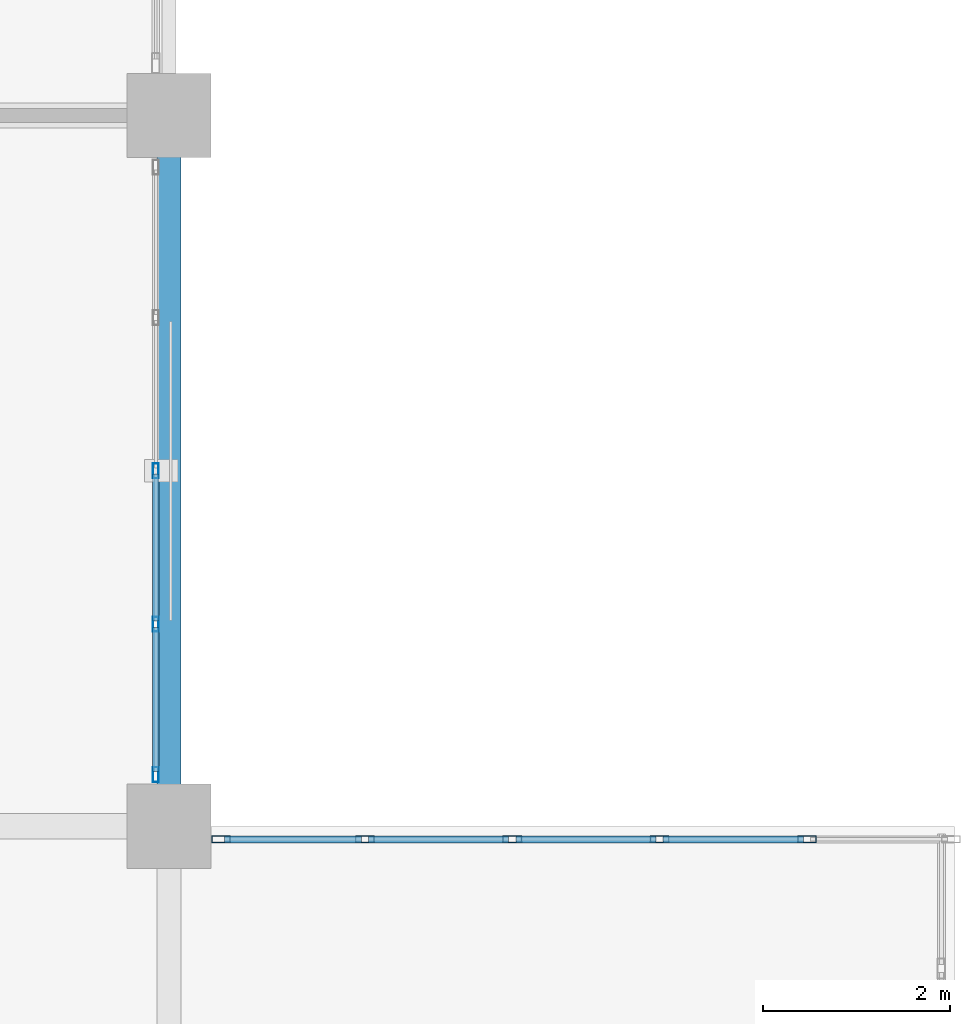
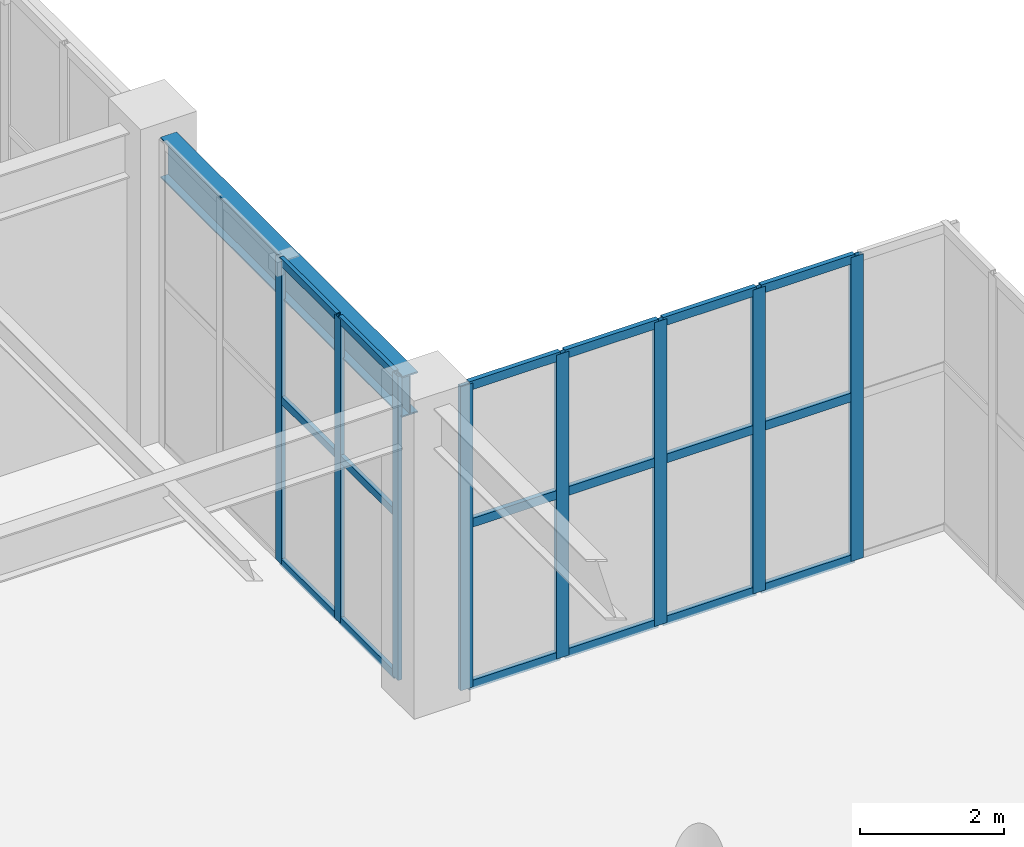
# One storey, part 45 of 139: 26 members, 1 beam, 2 elements without a shape of their own.
"""IFC4 building model written with IfcOpenShell, lengths in metres."""

from ifc_helpers import new_model, si_unit, direction, frame, origin, origin_2d, place, context, subcontext, project, spatial, hollow_rectangle, i_section, extrude, material, layer, layer_set, material_profile, profile_set, type_object, element, aggregate, save


model = new_model("IFC4")

# Units and contexts
model_context = context("Model", 3, precision=1e-05, world=origin(), true_north=direction((0.0, 1.0)))
body_context = subcontext(model_context, "Body", "Model", "MODEL_VIEW")
ifc_project = project(units=[si_unit("LENGTHUNIT", "METRE"), si_unit("AREAUNIT", "SQUARE_METRE"), si_unit("VOLUMEUNIT", "CUBIC_METRE"), si_unit("PLANEANGLEUNIT", "RADIAN"), si_unit("MASSUNIT", "GRAM", prefix="KILO")], contexts=[model_context])

# Site, building, storey
site_placement = place(None, origin())
site = spatial("IfcSite", under=ifc_project, at=site_placement, CompositionType="ELEMENT")
building_placement = place(site_placement, origin())
building = spatial("IfcBuilding", under=site, at=building_placement, Name="Xicomal Pleat Aquarium", CompositionType="ELEMENT")
storey_placement = place(building_placement, origin())
storey = spatial("IfcBuildingStorey", under=building, at=storey_placement, Name="L01", CompositionType="ELEMENT", Elevation=0.0)

# Beam
ifc_material_1 = material(Name="Structural steel A992 Gr 50", Category="steel")
ifc_material_profile_1 = material_profile(ifc_material_1, i_section(OverallWidth=0.256103515625, OverallDepth=0.693115234375, WebThickness=0.014404296875, FlangeThickness=0.023681640625, at=origin_2d()), Name="IR 690x170")
ifc_profile_set_1 = profile_set([ifc_material_profile_1], Name="Structural steel A992 Gr 50")
beam_type = type_object("IfcBeamType", Name="BM-STL-IR690", PredefinedType="BEAM", material=ifc_profile_set_1)
beam_placement = place(storey_placement, frame((27.0, 76.445068359375, 4.8134765625), z_axis=(0.0, 1.0, 0.0), x_axis=(-1.0, 0.0, 0.0)))
element("IfcBeam", 1, at=beam_placement, inside=storey, type_object=beam_type, Name="L01 framing beam FGY-L01-04-L-M", PredefinedType="BEAM", context=body_context, shape_type="SweptSolid", body=[
    extrude(i_section(OverallWidth=0.256103515625, OverallDepth=0.693115234375, WebThickness=0.014404296875, FlangeThickness=0.023681640625, at=origin_2d()), origin(), (0.0, 0.0, 1.0), 6.7099609375),
])

# Curtain wall, members
ifc_material_2 = material(Name="Bronze anodized aluminium 6063-T6", Category="aluminium")
ifc_layer_1 = layer(ifc_material_2, 0.159912109375)
ifc_layer_set_1 = layer_set([ifc_layer_1], Name="Bronze anodized aluminium 6063-T6")
curtain_wall_type_1 = type_object("IfcCurtainWallType", Name="CW-SYS-01", PredefinedType="NOTDEFINED", material=ifc_layer_set_1)
curtain_wall_1_placement = place(storey_placement, origin())
curtain_wall_1 = element("IfcCurtainWall", 2, at=curtain_wall_1_placement, inside=storey, type_object=curtain_wall_type_1, Name="L01 unitised curtain wall CW-L01-021", PredefinedType="NOTDEFINED")
ifc_material_3 = material(Name="Bronze anodized aluminium 6063-T6", Category="aluminium")
ifc_material_profile_2 = material_profile(ifc_material_3, hollow_rectangle(XDim=0.06494140625, YDim=0.159912109375, WallThickness=0.00390625, at=origin_2d()), Name="ALU MULL 65x160")
ifc_profile_set_2 = profile_set([ifc_material_profile_2], Name="Bronze anodized aluminium 6063-T6")
member_type_1 = type_object("IfcMemberType", Name="CWM-65x160", PredefinedType="MULLION", material=ifc_profile_set_2)
member_1_placement = place(storey_placement, frame((26.860107421875, 79.800048828125, 0.0), z_axis=(0.0, 0.0, 1.0), x_axis=(1.0, 0.0, 0.0)))
member_1 = element("IfcMember", 3, at=member_1_placement, type_object=member_type_1, Name="CW-01 mullion 3", PredefinedType="MULLION", context=body_context, shape_type="SweptSolid", body=[
    extrude(hollow_rectangle(XDim=0.06494140625, YDim=0.159912109375, WallThickness=0.00390625, at=origin_2d()), origin(), (0.0, 0.0, 1.0), 5.159912109375),
])
member_2_placement = place(storey_placement, frame((26.860107421875, 78.159912109375, 0.0), z_axis=(0.0, 0.0, 1.0), x_axis=(1.0, 0.0, 0.0)))
member_2 = element("IfcMember", 4, at=member_2_placement, type_object=member_type_1, Name="CW-01 mullion 4", PredefinedType="MULLION", context=body_context, shape_type="SweptSolid", body=[
    extrude(hollow_rectangle(XDim=0.06494140625, YDim=0.159912109375, WallThickness=0.00390625, at=origin_2d()), origin(), (0.0, 0.0, 1.0), 5.159912109375),
])
member_3_placement = place(storey_placement, frame((26.860107421875, 76.552490234375, 0.0), z_axis=(0.0, 0.0, 1.0), x_axis=(1.0, 0.0, 0.0)))
member_3 = element("IfcMember", 5, at=member_3_placement, type_object=member_type_1, Name="CW-01 mullion 5", PredefinedType="MULLION", context=body_context, shape_type="SweptSolid", body=[
    extrude(hollow_rectangle(XDim=0.06494140625, YDim=0.159912109375, WallThickness=0.00390625, at=origin_2d()), origin(), (0.0, 0.0, 1.0), 5.159912109375),
])

ifc_material_4 = material(Name="Bronze anodized aluminium 6063-T6", Category="aluminium")
ifc_layer_2 = layer(ifc_material_4, 0.159912109375)
ifc_layer_set_2 = layer_set([ifc_layer_2], Name="Bronze anodized aluminium 6063-T6")
curtain_wall_type_2 = type_object("IfcCurtainWallType", Name="CW-SYS-06", PredefinedType="NOTDEFINED", material=ifc_layer_set_2)
curtain_wall_2_placement = place(storey_placement, origin())
curtain_wall_2 = element("IfcCurtainWall", 6, at=curtain_wall_2_placement, inside=storey, type_object=curtain_wall_type_2, Name="L01 unitised curtain wall CW-L01-022", PredefinedType="NOTDEFINED")
ifc_material_5 = material(Name="Bronze anodized aluminium 6063-T6", Category="aluminium")
ifc_material_profile_3 = material_profile(ifc_material_5, hollow_rectangle(XDim=0.074951171875, YDim=0.199951171875, WallThickness=0.00439453125, at=origin_2d()), Name="ALU MULL 75x200")
ifc_profile_set_3 = profile_set([ifc_material_profile_3], Name="Bronze anodized aluminium 6063-T6")
member_type_2 = type_object("IfcMemberType", Name="CWM-75x200", PredefinedType="MULLION", material=ifc_profile_set_3)
member_4_placement = place(storey_placement, frame((27.5576171875, 75.860107421875, 0.0), z_axis=(0.0, 0.0, 1.0), x_axis=(0.0, 1.0, 0.0)))
member_4 = element("IfcMember", 7, at=member_4_placement, type_object=member_type_2, Name="CW-06 mullion 1", PredefinedType="MULLION", context=body_context, shape_type="SweptSolid", body=[
    extrude(hollow_rectangle(XDim=0.074951171875, YDim=0.199951171875, WallThickness=0.00439453125, at=origin_2d()), origin(), (0.0, 0.0, 1.0), 5.159912109375),
])
member_5_placement = place(storey_placement, frame((29.095947265625, 75.860107421875, 0.0), z_axis=(0.0, 0.0, 1.0), x_axis=(0.0, 1.0, 0.0)))
member_5 = element("IfcMember", 8, at=member_5_placement, type_object=member_type_2, Name="CW-06 mullion 2", PredefinedType="MULLION", context=body_context, shape_type="SweptSolid", body=[
    extrude(hollow_rectangle(XDim=0.074951171875, YDim=0.199951171875, WallThickness=0.00439453125, at=origin_2d()), origin(), (0.0, 0.0, 1.0), 5.159912109375),
])
member_6_placement = place(storey_placement, frame((30.672119140625, 75.860107421875, 0.0), z_axis=(0.0, 0.0, 1.0), x_axis=(0.0, 1.0, 0.0)))
member_6 = element("IfcMember", 9, at=member_6_placement, type_object=member_type_2, Name="CW-06 mullion 3", PredefinedType="MULLION", context=body_context, shape_type="SweptSolid", body=[
    extrude(hollow_rectangle(XDim=0.074951171875, YDim=0.199951171875, WallThickness=0.00439453125, at=origin_2d()), origin(), (0.0, 0.0, 1.0), 5.159912109375),
])
member_7_placement = place(storey_placement, frame((32.248046875, 75.860107421875, 0.0), z_axis=(0.0, 0.0, 1.0), x_axis=(0.0, 1.0, 0.0)))
member_7 = element("IfcMember", 10, at=member_7_placement, type_object=member_type_2, Name="CW-06 mullion 4", PredefinedType="MULLION", context=body_context, shape_type="SweptSolid", body=[
    extrude(hollow_rectangle(XDim=0.074951171875, YDim=0.199951171875, WallThickness=0.00439453125, at=origin_2d()), origin(), (0.0, 0.0, 1.0), 5.159912109375),
])
member_8_placement = place(storey_placement, frame((33.823974609375, 75.860107421875, 0.0), z_axis=(0.0, 0.0, 1.0), x_axis=(0.0, 1.0, 0.0)))
member_8 = element("IfcMember", 11, at=member_8_placement, type_object=member_type_2, Name="CW-06 mullion 5", PredefinedType="MULLION", context=body_context, shape_type="SweptSolid", body=[
    extrude(hollow_rectangle(XDim=0.074951171875, YDim=0.199951171875, WallThickness=0.00439453125, at=origin_2d()), origin(), (0.0, 0.0, 1.0), 5.159912109375),
])

# Member
ifc_material_6 = material(Name="Bronze anodized aluminium 6063-T6", Category="aluminium")
ifc_material_profile_4 = material_profile(ifc_material_6, hollow_rectangle(XDim=0.06494140625, YDim=0.1298828125, WallThickness=0.00390625, at=origin_2d()), Name="ALU TRAN 65x130")
ifc_profile_set_4 = profile_set([ifc_material_profile_4], Name="Bronze anodized aluminium 6063-T6")
member_type_3 = type_object("IfcMemberType", Name="CWT-65x130", PredefinedType="USERDEFINED", material=ifc_profile_set_4)
member_9_placement = place(storey_placement, frame((26.860107421875, 79.767578125, 0.032470703125), z_axis=(0.0, -1.0, 0.0), x_axis=(1.0, 0.0, 0.0)))
member_9 = element("IfcMember", 12, at=member_9_placement, type_object=member_type_3, Name="CW-01 transom 3.1", ObjectType="TRANSOM", PredefinedType="USERDEFINED", context=body_context, shape_type="SweptSolid", body=[
    extrude(hollow_rectangle(XDim=0.06494140625, YDim=0.1298828125, WallThickness=0.00390625, at=origin_2d()), origin(), (0.0, 0.0, 1.0), 1.5751953125),
])

member_10_placement = place(storey_placement, frame((26.860107421875, 79.767578125, 2.785888671875), z_axis=(0.0, -1.0, 0.0), x_axis=(1.0, 0.0, 0.0)))
member_10 = element("IfcMember", 13, at=member_10_placement, type_object=member_type_3, Name="CW-01 transom 3.2", ObjectType="TRANSOM", PredefinedType="USERDEFINED", context=body_context, shape_type="SweptSolid", body=[
    extrude(hollow_rectangle(XDim=0.06494140625, YDim=0.1298828125, WallThickness=0.00390625, at=origin_2d()), origin(), (0.0, 0.0, 1.0), 1.5751953125),
])

member_11_placement = place(storey_placement, frame((26.860107421875, 79.767578125, 5.12744140625), z_axis=(0.0, -1.0, 0.0), x_axis=(1.0, 0.0, 0.0)))
member_11 = element("IfcMember", 14, at=member_11_placement, type_object=member_type_3, Name="CW-01 transom 3.3", ObjectType="TRANSOM", PredefinedType="USERDEFINED", context=body_context, shape_type="SweptSolid", body=[
    extrude(hollow_rectangle(XDim=0.06494140625, YDim=0.1298828125, WallThickness=0.00390625, at=origin_2d()), origin(), (0.0, 0.0, 1.0), 1.5751953125),
])

member_12_placement = place(storey_placement, frame((26.860107421875, 78.12744140625, 0.032470703125), z_axis=(0.0, -1.0, 0.0), x_axis=(1.0, 0.0, 0.0)))
member_12 = element("IfcMember", 15, at=member_12_placement, type_object=member_type_3, Name="CW-01 transom 4.1", ObjectType="TRANSOM", PredefinedType="USERDEFINED", context=body_context, shape_type="SweptSolid", body=[
    extrude(hollow_rectangle(XDim=0.06494140625, YDim=0.1298828125, WallThickness=0.00390625, at=origin_2d()), origin(), (0.0, 0.0, 1.0), 1.54248046875),
])

member_13_placement = place(storey_placement, frame((26.860107421875, 78.12744140625, 2.785888671875), z_axis=(0.0, -1.0, 0.0), x_axis=(1.0, 0.0, 0.0)))
member_13 = element("IfcMember", 16, at=member_13_placement, type_object=member_type_3, Name="CW-01 transom 4.2", ObjectType="TRANSOM", PredefinedType="USERDEFINED", context=body_context, shape_type="SweptSolid", body=[
    extrude(hollow_rectangle(XDim=0.06494140625, YDim=0.1298828125, WallThickness=0.00390625, at=origin_2d()), origin(), (0.0, 0.0, 1.0), 1.54248046875),
])

member_14_placement = place(storey_placement, frame((26.860107421875, 78.12744140625, 5.12744140625), z_axis=(0.0, -1.0, 0.0), x_axis=(1.0, 0.0, 0.0)))
member_14 = element("IfcMember", 17, at=member_14_placement, type_object=member_type_3, Name="CW-01 transom 4.3", ObjectType="TRANSOM", PredefinedType="USERDEFINED", context=body_context, shape_type="SweptSolid", body=[
    extrude(hollow_rectangle(XDim=0.06494140625, YDim=0.1298828125, WallThickness=0.00390625, at=origin_2d()), origin(), (0.0, 0.0, 1.0), 1.54248046875),
])

aggregate(curtain_wall_1, [member_1, member_2, member_3, member_9, member_10, member_11, member_12, member_13, member_14])

ifc_material_7 = material(Name="Bronze anodized aluminium 6063-T6", Category="aluminium")
ifc_material_profile_5 = material_profile(ifc_material_7, hollow_rectangle(XDim=0.074951171875, YDim=0.14990234375, WallThickness=0.00439453125, at=origin_2d()), Name="ALU TRAN 75x150")
ifc_profile_set_5 = profile_set([ifc_material_profile_5], Name="Bronze anodized aluminium 6063-T6")
member_type_4 = type_object("IfcMemberType", Name="CWT-75x150", PredefinedType="USERDEFINED", material=ifc_profile_set_5)
member_15_placement = place(storey_placement, frame((27.594970703125, 75.860107421875, 0.03759765625), z_axis=(1.0, 0.0, 0.0), x_axis=(0.0, 1.0, 0.0)))
member_15 = element("IfcMember", 18, at=member_15_placement, type_object=member_type_4, Name="CW-06 transom 1.1", ObjectType="TRANSOM", PredefinedType="USERDEFINED", context=body_context, shape_type="SweptSolid", body=[
    extrude(hollow_rectangle(XDim=0.074951171875, YDim=0.14990234375, WallThickness=0.00439453125, at=origin_2d()), origin(), (0.0, 0.0, 1.0), 1.463623046875),
])

member_16_placement = place(storey_placement, frame((27.594970703125, 75.860107421875, 2.785888671875), z_axis=(1.0, 0.0, 0.0), x_axis=(0.0, 1.0, 0.0)))
member_16 = element("IfcMember", 19, at=member_16_placement, type_object=member_type_4, Name="CW-06 transom 1.2", ObjectType="TRANSOM", PredefinedType="USERDEFINED", context=body_context, shape_type="SweptSolid", body=[
    extrude(hollow_rectangle(XDim=0.074951171875, YDim=0.14990234375, WallThickness=0.00439453125, at=origin_2d()), origin(), (0.0, 0.0, 1.0), 1.463623046875),
])

member_17_placement = place(storey_placement, frame((27.594970703125, 75.860107421875, 5.12255859375), z_axis=(1.0, 0.0, 0.0), x_axis=(0.0, 1.0, 0.0)))
member_17 = element("IfcMember", 20, at=member_17_placement, type_object=member_type_4, Name="CW-06 transom 1.3", ObjectType="TRANSOM", PredefinedType="USERDEFINED", context=body_context, shape_type="SweptSolid", body=[
    extrude(hollow_rectangle(XDim=0.074951171875, YDim=0.14990234375, WallThickness=0.00439453125, at=origin_2d()), origin(), (0.0, 0.0, 1.0), 1.463623046875),
])

member_18_placement = place(storey_placement, frame((29.133544921875, 75.860107421875, 0.03759765625), z_axis=(1.0, 0.0, 0.0), x_axis=(0.0, 1.0, 0.0)))
member_18 = element("IfcMember", 21, at=member_18_placement, type_object=member_type_4, Name="CW-06 transom 2.1", ObjectType="TRANSOM", PredefinedType="USERDEFINED", context=body_context, shape_type="SweptSolid", body=[
    extrude(hollow_rectangle(XDim=0.074951171875, YDim=0.14990234375, WallThickness=0.00439453125, at=origin_2d()), origin(), (0.0, 0.0, 1.0), 1.5009765625),
])

member_19_placement = place(storey_placement, frame((29.133544921875, 75.860107421875, 2.785888671875), z_axis=(1.0, 0.0, 0.0), x_axis=(0.0, 1.0, 0.0)))
member_19 = element("IfcMember", 22, at=member_19_placement, type_object=member_type_4, Name="CW-06 transom 2.2", ObjectType="TRANSOM", PredefinedType="USERDEFINED", context=body_context, shape_type="SweptSolid", body=[
    extrude(hollow_rectangle(XDim=0.074951171875, YDim=0.14990234375, WallThickness=0.00439453125, at=origin_2d()), origin(), (0.0, 0.0, 1.0), 1.5009765625),
])

member_20_placement = place(storey_placement, frame((29.133544921875, 75.860107421875, 5.12255859375), z_axis=(1.0, 0.0, 0.0), x_axis=(0.0, 1.0, 0.0)))
member_20 = element("IfcMember", 23, at=member_20_placement, type_object=member_type_4, Name="CW-06 transom 2.3", ObjectType="TRANSOM", PredefinedType="USERDEFINED", context=body_context, shape_type="SweptSolid", body=[
    extrude(hollow_rectangle(XDim=0.074951171875, YDim=0.14990234375, WallThickness=0.00439453125, at=origin_2d()), origin(), (0.0, 0.0, 1.0), 1.5009765625),
])

member_21_placement = place(storey_placement, frame((30.70947265625, 75.860107421875, 0.03759765625), z_axis=(1.0, 0.0, 0.0), x_axis=(0.0, 1.0, 0.0)))
member_21 = element("IfcMember", 24, at=member_21_placement, type_object=member_type_4, Name="CW-06 transom 3.1", ObjectType="TRANSOM", PredefinedType="USERDEFINED", context=body_context, shape_type="SweptSolid", body=[
    extrude(hollow_rectangle(XDim=0.074951171875, YDim=0.14990234375, WallThickness=0.00439453125, at=origin_2d()), origin(), (0.0, 0.0, 1.0), 1.5009765625),
])

member_22_placement = place(storey_placement, frame((30.70947265625, 75.860107421875, 2.785888671875), z_axis=(1.0, 0.0, 0.0), x_axis=(0.0, 1.0, 0.0)))
member_22 = element("IfcMember", 25, at=member_22_placement, type_object=member_type_4, Name="CW-06 transom 3.2", ObjectType="TRANSOM", PredefinedType="USERDEFINED", context=body_context, shape_type="SweptSolid", body=[
    extrude(hollow_rectangle(XDim=0.074951171875, YDim=0.14990234375, WallThickness=0.00439453125, at=origin_2d()), origin(), (0.0, 0.0, 1.0), 1.5009765625),
])

member_23_placement = place(storey_placement, frame((30.70947265625, 75.860107421875, 5.12255859375), z_axis=(1.0, 0.0, 0.0), x_axis=(0.0, 1.0, 0.0)))
member_23 = element("IfcMember", 26, at=member_23_placement, type_object=member_type_4, Name="CW-06 transom 3.3", ObjectType="TRANSOM", PredefinedType="USERDEFINED", context=body_context, shape_type="SweptSolid", body=[
    extrude(hollow_rectangle(XDim=0.074951171875, YDim=0.14990234375, WallThickness=0.00439453125, at=origin_2d()), origin(), (0.0, 0.0, 1.0), 1.5009765625),
])

member_24_placement = place(storey_placement, frame((32.285400390625, 75.860107421875, 0.03759765625), z_axis=(1.0, 0.0, 0.0), x_axis=(0.0, 1.0, 0.0)))
member_24 = element("IfcMember", 27, at=member_24_placement, type_object=member_type_4, Name="CW-06 transom 4.1", ObjectType="TRANSOM", PredefinedType="USERDEFINED", context=body_context, shape_type="SweptSolid", body=[
    extrude(hollow_rectangle(XDim=0.074951171875, YDim=0.14990234375, WallThickness=0.00439453125, at=origin_2d()), origin(), (0.0, 0.0, 1.0), 1.501220703125),
])

member_25_placement = place(storey_placement, frame((32.285400390625, 75.860107421875, 2.785888671875), z_axis=(1.0, 0.0, 0.0), x_axis=(0.0, 1.0, 0.0)))
member_25 = element("IfcMember", 28, at=member_25_placement, type_object=member_type_4, Name="CW-06 transom 4.2", ObjectType="TRANSOM", PredefinedType="USERDEFINED", context=body_context, shape_type="SweptSolid", body=[
    extrude(hollow_rectangle(XDim=0.074951171875, YDim=0.14990234375, WallThickness=0.00439453125, at=origin_2d()), origin(), (0.0, 0.0, 1.0), 1.501220703125),
])

member_26_placement = place(storey_placement, frame((32.285400390625, 75.860107421875, 5.12255859375), z_axis=(1.0, 0.0, 0.0), x_axis=(0.0, 1.0, 0.0)))
member_26 = element("IfcMember", 29, at=member_26_placement, type_object=member_type_4, Name="CW-06 transom 4.3", ObjectType="TRANSOM", PredefinedType="USERDEFINED", context=body_context, shape_type="SweptSolid", body=[
    extrude(hollow_rectangle(XDim=0.074951171875, YDim=0.14990234375, WallThickness=0.00439453125, at=origin_2d()), origin(), (0.0, 0.0, 1.0), 1.501220703125),
])

aggregate(curtain_wall_2, [member_4, member_5, member_6, member_7, member_8, member_15, member_16, member_17, member_18, member_19, member_20, member_21, member_22, member_23, member_24, member_25, member_26])

save(model, "model.ifc")
